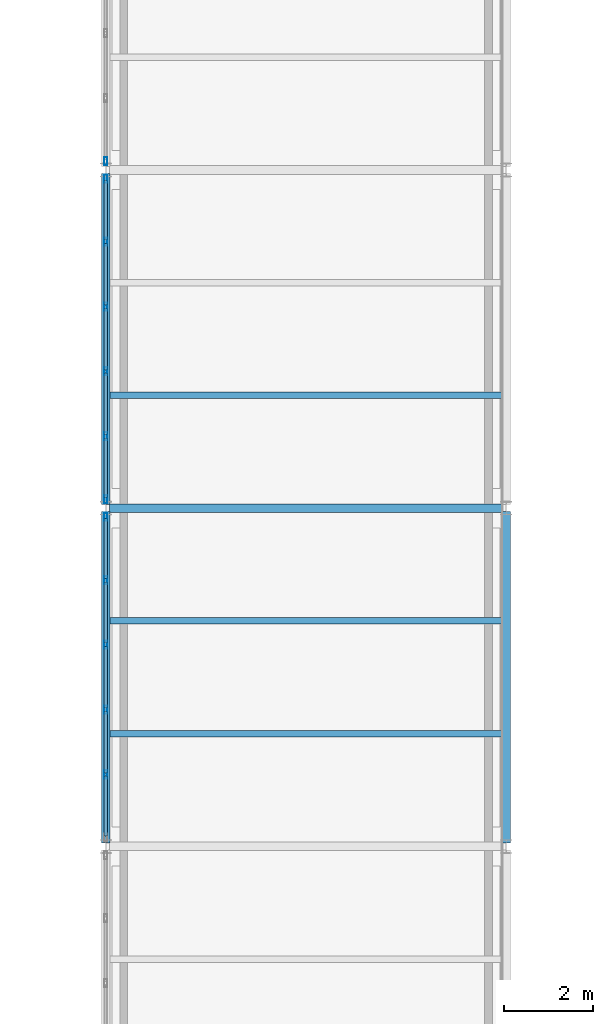
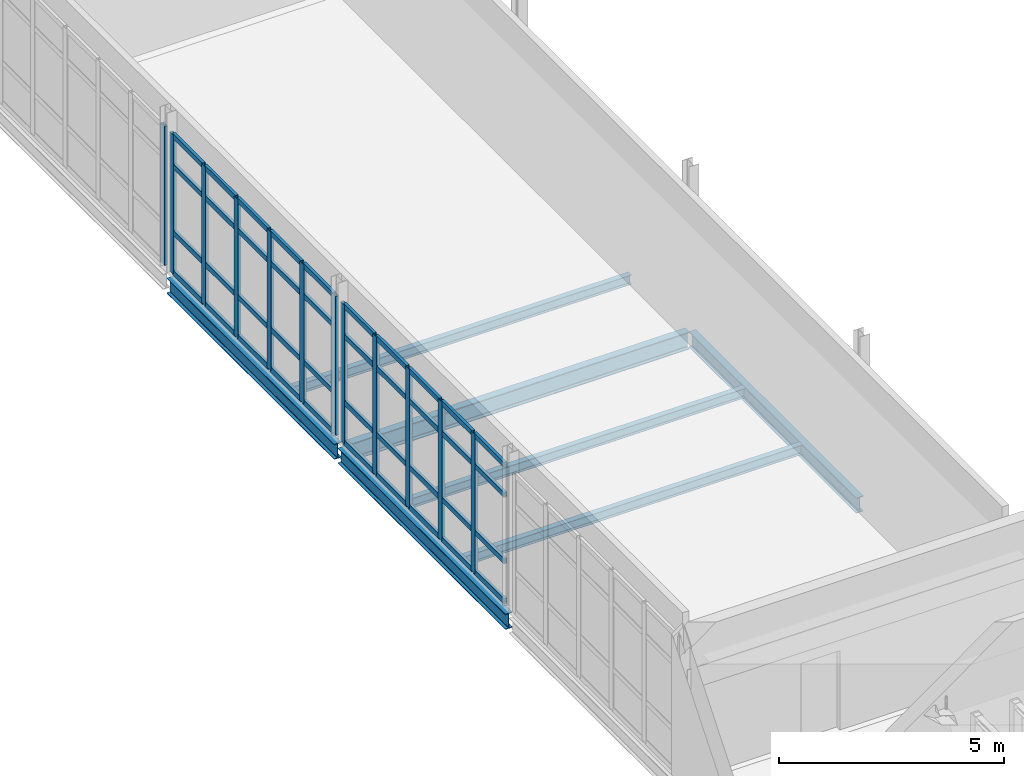
# One storey, part 112 of 174: 52 members, 7 beams, 3 elements without a shape of their own.
"""IFC4 building model written with IfcOpenShell, lengths in metres."""

from ifc_helpers import new_model, si_unit, direction, frame, origin, origin_2d, place, context, subcontext, project, spatial, hollow_rectangle, i_section, extrude, material, material_profile, profile_set, type_object, element, aggregate, save


model = new_model("IFC4")

# Units and contexts
model_context = context("Model", 3, precision=1e-05, world=origin(), true_north=direction((0.0, 1.0)))
body_context = subcontext(model_context, "Body", "Model", "MODEL_VIEW")
ifc_project = project(units=[si_unit("LENGTHUNIT", "METRE"), si_unit("AREAUNIT", "SQUARE_METRE"), si_unit("VOLUMEUNIT", "CUBIC_METRE"), si_unit("PLANEANGLEUNIT", "RADIAN"), si_unit("MASSUNIT", "GRAM", prefix="KILO")], contexts=[model_context])

# Site, building, storey
site_placement = place(None, origin())
site = spatial("IfcSite", under=ifc_project, at=site_placement, CompositionType="ELEMENT")
building_placement = place(site_placement, origin())
building = spatial("IfcBuilding", under=site, at=building_placement, Name="Caisbarro Railhouse Central Library", CompositionType="ELEMENT")
storey_placement = place(building_placement, frame((0.0, 0.0, 5.0400390625)))
storey = spatial("IfcBuildingStorey", under=building, at=storey_placement, Name="L01", CompositionType="ELEMENT", Elevation=5.0400390625)

# Beams
ifc_material_1 = material(Name="Steel ASTM A572 Grade 50", Category="steel")
ifc_material_profile_1 = material_profile(ifc_material_1, i_section(OverallWidth=0.194091796875, OverallDepth=0.468994140625, WebThickness=0.0126953125, FlangeThickness=0.0205078125, FilletRadius=0.01806640625, at=origin_2d()), Name="W460X106.0")
ifc_profile_set_1 = profile_set([ifc_material_profile_1], Name="Steel ASTM A572 Grade 50")
beam_type_1 = type_object("IfcBeamType", Name="BM-G07", PredefinedType="BEAM", material=ifc_profile_set_1)
beam_1_placement = place(storey_placement, frame((144.080078125, 22.800048828125, -0.4345703125), z_axis=(1.0, 0.0, 0.0), x_axis=(0.0, 1.0, 0.0)))
element("IfcBeam", 1, at=beam_1_placement, inside=storey, type_object=beam_type_1, Name="G07 beam L01 #1060", PredefinedType="BEAM", context=body_context, shape_type="SweptSolid", body=[
    extrude(i_section(OverallWidth=0.194091796875, OverallDepth=0.468994140625, WebThickness=0.0126953125, FlangeThickness=0.0205078125, FilletRadius=0.01806640625, at=origin_2d()), origin(), (0.0, 0.0, 1.0), 8.83984375),
])
ifc_material_profile_2 = material_profile(ifc_material_1, i_section(OverallWidth=0.180908203125, OverallDepth=0.4169921875, WebThickness=0.010986328125, FlangeThickness=0.018310546875, FilletRadius=0.01611328125, at=origin_2d()), Name="W410X85.0")
ifc_profile_set_2 = profile_set([ifc_material_profile_2], Name="Steel ASTM A572 Grade 50")
beam_type_2 = type_object("IfcBeamType", Name="BM-G09", PredefinedType="BEAM", material=ifc_profile_set_2)
beam_2_placement = place(storey_placement, frame((144.0, 15.280029296875, -0.408447265625), z_axis=(0.0, 1.0, 0.0), x_axis=(-1.0, 0.0, 0.0)))
element("IfcBeam", 2, at=beam_2_placement, inside=storey, type_object=beam_type_2, Name="G09 beam L01 #1065", PredefinedType="BEAM", context=body_context, shape_type="SweptSolid", body=[
    extrude(i_section(OverallWidth=0.180908203125, OverallDepth=0.4169921875, WebThickness=0.010986328125, FlangeThickness=0.018310546875, FilletRadius=0.01611328125, at=origin_2d()), origin(), (0.0, 0.0, 1.0), 7.43994140625),
])
beam_3_placement = place(storey_placement, frame((144.0, 22.8798828125, -0.408447265625), z_axis=(0.0, 1.0, 0.0), x_axis=(-1.0, 0.0, 0.0)))
element("IfcBeam", 3, at=beam_3_placement, inside=storey, type_object=beam_type_2, Name="G09 beam L01 #1066", PredefinedType="BEAM", context=body_context, shape_type="SweptSolid", body=[
    extrude(i_section(OverallWidth=0.180908203125, OverallDepth=0.4169921875, WebThickness=0.010986328125, FlangeThickness=0.018310546875, FilletRadius=0.01611328125, at=origin_2d()), origin(), (0.0, 0.0, 1.0), 7.440185546875),
])
beam_4_placement = place(storey_placement, frame((153.0, 15.280029296875, -0.408447265625), z_axis=(0.0, 1.0, 0.0), x_axis=(-1.0, 0.0, 0.0)))
element("IfcBeam", 4, at=beam_4_placement, inside=storey, type_object=beam_type_2, Name="G09 beam L01 #1070", PredefinedType="BEAM", context=body_context, shape_type="SweptSolid", body=[
    extrude(i_section(OverallWidth=0.180908203125, OverallDepth=0.4169921875, WebThickness=0.010986328125, FlangeThickness=0.018310546875, FilletRadius=0.01611328125, at=origin_2d()), origin(), (0.0, 0.0, 1.0), 7.43994140625),
])
ifc_material_profile_3 = material_profile(ifc_material_1, i_section(OverallWidth=0.14599609375, OverallDepth=0.258056640625, WebThickness=0.006103515625, FlangeThickness=0.009033203125, FilletRadius=0.010009765625, at=origin_2d()), Name="W250X32.7")
ifc_profile_set_3 = profile_set([ifc_material_profile_3], Name="Steel ASTM A572 Grade 50")
beam_type_3 = type_object("IfcBeamType", Name="BM-J05", PredefinedType="JOIST", material=ifc_profile_set_3)
for number, where, z_axis, x_axis, name in (
    (5, (144.090576171875, 17.7333984375, -0.3291015625), (1.0, 0.0, 0.0), (0.0, 1.0, 0.0), "J05 beam L01 #1075"),
    (6, (144.090576171875, 20.2666015625, -0.3291015625), (1.0, 0.0, 0.0), (0.0, 1.0, 0.0), "J05 beam L01 #1076"),
    (7, (144.090576171875, 25.333251953125, -0.3291015625), (1.0, 0.0, 0.0), (0.0, 1.0, 0.0), "J05 beam L01 #1077"),
):
    element("IfcBeam", number, at=place(storey_placement, frame(where, z_axis=z_axis, x_axis=x_axis)), inside=storey, type_object=beam_type_3, Name=name, PredefinedType="JOIST", context=body_context, shape_type="SweptSolid", body=[
        extrude(i_section(OverallWidth=0.14599609375, OverallDepth=0.258056640625, WebThickness=0.006103515625, FlangeThickness=0.009033203125, FilletRadius=0.010009765625, at=origin_2d()), origin(), (0.0, 0.0, 1.0), 8.81884765625),
    ])

# Curtain wall, members
ifc_material_2 = material(Name="Anodised architectural aluminium", Category="aluminium")
curtain_wall_type = type_object("IfcCurtainWallType", Name="CW-CW02", PredefinedType="NOTDEFINED", material=ifc_material_2)
curtain_wall_1_placement = place(storey_placement, origin())
curtain_wall_1 = element("IfcCurtainWall", 8, at=curtain_wall_1_placement, inside=storey, type_object=curtain_wall_type, Name="CW02 curtain wall L01 #89", PredefinedType="NOTDEFINED")
ifc_material_profile_4 = material_profile(ifc_material_2, hollow_rectangle(XDim=0.074951171875, YDim=0.179931640625, WallThickness=0.00439453125, at=origin_2d()), Name="ALU-MUL-75X180")
ifc_profile_set_4 = profile_set([ifc_material_profile_4], Name="Anodised architectural aluminium")
member_type_1 = type_object("IfcMemberType", Name="CWM-M01", PredefinedType="MULLION", material=ifc_profile_set_4)
member_1_placement = place(storey_placement, frame((144.0, 16.81591796875, 0.0), z_axis=(0.0, 0.0, 1.0), x_axis=(-1.0, 0.0, 0.0)))
member_1 = element("IfcMember", 9, at=member_1_placement, type_object=member_type_1, Name="CW02 mullion 2", PredefinedType="MULLION", context=body_context, shape_type="SweptSolid", body=[
    extrude(hollow_rectangle(XDim=0.074951171875, YDim=0.179931640625, WallThickness=0.00439453125, at=origin_2d()), origin(), (0.0, 0.0, 1.0), 3.77001953125),
])
member_2_placement = place(storey_placement, frame((144.0, 18.27197265625, 0.0), z_axis=(0.0, 0.0, 1.0), x_axis=(-1.0, 0.0, 0.0)))
member_2 = element("IfcMember", 10, at=member_2_placement, type_object=member_type_1, Name="CW02 mullion 3", PredefinedType="MULLION", context=body_context, shape_type="SweptSolid", body=[
    extrude(hollow_rectangle(XDim=0.074951171875, YDim=0.179931640625, WallThickness=0.00439453125, at=origin_2d()), origin(), (0.0, 0.0, 1.0), 3.77001953125),
])
member_3_placement = place(storey_placement, frame((144.0, 19.72802734375, 0.0), z_axis=(0.0, 0.0, 1.0), x_axis=(-1.0, 0.0, 0.0)))
member_3 = element("IfcMember", 11, at=member_3_placement, type_object=member_type_1, Name="CW02 mullion 4", PredefinedType="MULLION", context=body_context, shape_type="SweptSolid", body=[
    extrude(hollow_rectangle(XDim=0.074951171875, YDim=0.179931640625, WallThickness=0.00439453125, at=origin_2d()), origin(), (0.0, 0.0, 1.0), 3.77001953125),
])
member_4_placement = place(storey_placement, frame((144.0, 21.18408203125, 0.0), z_axis=(0.0, 0.0, 1.0), x_axis=(-1.0, 0.0, 0.0)))
member_4 = element("IfcMember", 12, at=member_4_placement, type_object=member_type_1, Name="CW02 mullion 5", PredefinedType="MULLION", context=body_context, shape_type="SweptSolid", body=[
    extrude(hollow_rectangle(XDim=0.074951171875, YDim=0.179931640625, WallThickness=0.00439453125, at=origin_2d()), origin(), (0.0, 0.0, 1.0), 3.77001953125),
])
member_5_placement = place(storey_placement, frame((144.0, 22.6025390625, 0.0), z_axis=(0.0, 0.0, 1.0), x_axis=(-1.0, 0.0, 0.0)))
member_5 = element("IfcMember", 13, at=member_5_placement, type_object=member_type_1, Name="CW02 mullion 6", PredefinedType="MULLION", context=body_context, shape_type="SweptSolid", body=[
    extrude(hollow_rectangle(XDim=0.074951171875, YDim=0.179931640625, WallThickness=0.00439453125, at=origin_2d()), origin(), (0.0, 0.0, 1.0), 3.77001953125),
])

curtain_wall_2_placement = place(storey_placement, origin())
curtain_wall_2 = element("IfcCurtainWall", 14, at=curtain_wall_2_placement, inside=storey, type_object=curtain_wall_type, Name="CW02 curtain wall L01 #90", PredefinedType="NOTDEFINED")
member_6_placement = place(storey_placement, frame((144.0, 22.99755859375, 0.0), z_axis=(0.0, 0.0, 1.0), x_axis=(-1.0, 0.0, 0.0)))
member_6 = element("IfcMember", 15, at=member_6_placement, type_object=member_type_1, Name="CW02 mullion 1", PredefinedType="MULLION", context=body_context, shape_type="SweptSolid", body=[
    extrude(hollow_rectangle(XDim=0.074951171875, YDim=0.179931640625, WallThickness=0.00439453125, at=origin_2d()), origin(), (0.0, 0.0, 1.0), 3.77001953125),
])
member_7_placement = place(storey_placement, frame((144.0, 24.416015625, 0.0), z_axis=(0.0, 0.0, 1.0), x_axis=(-1.0, 0.0, 0.0)))
member_7 = element("IfcMember", 16, at=member_7_placement, type_object=member_type_1, Name="CW02 mullion 2", PredefinedType="MULLION", context=body_context, shape_type="SweptSolid", body=[
    extrude(hollow_rectangle(XDim=0.074951171875, YDim=0.179931640625, WallThickness=0.00439453125, at=origin_2d()), origin(), (0.0, 0.0, 1.0), 3.77001953125),
])
member_8_placement = place(storey_placement, frame((144.0, 25.8720703125, 0.0), z_axis=(0.0, 0.0, 1.0), x_axis=(-1.0, 0.0, 0.0)))
member_8 = element("IfcMember", 17, at=member_8_placement, type_object=member_type_1, Name="CW02 mullion 3", PredefinedType="MULLION", context=body_context, shape_type="SweptSolid", body=[
    extrude(hollow_rectangle(XDim=0.074951171875, YDim=0.179931640625, WallThickness=0.00439453125, at=origin_2d()), origin(), (0.0, 0.0, 1.0), 3.77001953125),
])
member_9_placement = place(storey_placement, frame((144.0, 27.327880859375, 0.0), z_axis=(0.0, 0.0, 1.0), x_axis=(-1.0, 0.0, 0.0)))
member_9 = element("IfcMember", 18, at=member_9_placement, type_object=member_type_1, Name="CW02 mullion 4", PredefinedType="MULLION", context=body_context, shape_type="SweptSolid", body=[
    extrude(hollow_rectangle(XDim=0.074951171875, YDim=0.179931640625, WallThickness=0.00439453125, at=origin_2d()), origin(), (0.0, 0.0, 1.0), 3.77001953125),
])
member_10_placement = place(storey_placement, frame((144.0, 28.783935546875, 0.0), z_axis=(0.0, 0.0, 1.0), x_axis=(-1.0, 0.0, 0.0)))
member_10 = element("IfcMember", 19, at=member_10_placement, type_object=member_type_1, Name="CW02 mullion 5", PredefinedType="MULLION", context=body_context, shape_type="SweptSolid", body=[
    extrude(hollow_rectangle(XDim=0.074951171875, YDim=0.179931640625, WallThickness=0.00439453125, at=origin_2d()), origin(), (0.0, 0.0, 1.0), 3.77001953125),
])
member_11_placement = place(storey_placement, frame((144.0, 30.202392578125, 0.0), z_axis=(0.0, 0.0, 1.0), x_axis=(-1.0, 0.0, 0.0)))
member_11 = element("IfcMember", 20, at=member_11_placement, type_object=member_type_1, Name="CW02 mullion 6", PredefinedType="MULLION", context=body_context, shape_type="SweptSolid", body=[
    extrude(hollow_rectangle(XDim=0.074951171875, YDim=0.179931640625, WallThickness=0.00439453125, at=origin_2d()), origin(), (0.0, 0.0, 1.0), 3.77001953125),
])

# Curtain wall, member
curtain_wall_3_placement = place(storey_placement, origin())
curtain_wall_3 = element("IfcCurtainWall", 21, at=curtain_wall_3_placement, inside=storey, type_object=curtain_wall_type, Name="CW02 curtain wall L01 #91", PredefinedType="NOTDEFINED")
member_12_placement = place(storey_placement, frame((144.0, 30.597412109375, 0.0), z_axis=(0.0, 0.0, 1.0), x_axis=(-1.0, 0.0, 0.0)))
member_12 = element("IfcMember", 22, at=member_12_placement, type_object=member_type_1, Name="CW02 mullion 1", PredefinedType="MULLION", context=body_context, shape_type="SweptSolid", body=[
    extrude(hollow_rectangle(XDim=0.074951171875, YDim=0.179931640625, WallThickness=0.00439453125, at=origin_2d()), origin(), (0.0, 0.0, 1.0), 3.77001953125),
])
aggregate(curtain_wall_3, [member_12])

# Member
ifc_material_profile_5 = material_profile(ifc_material_2, hollow_rectangle(XDim=0.074951171875, YDim=0.139892578125, WallThickness=0.00390625, at=origin_2d()), Name="ALU-TRN-75X140")
ifc_profile_set_5 = profile_set([ifc_material_profile_5], Name="Anodised architectural aluminium")
member_type_2 = type_object("IfcMemberType", Name="CWT-T01", PredefinedType="USERDEFINED", material=ifc_profile_set_5)
member_13_placement = place(storey_placement, frame((144.0, 15.43505859375, 0.037353515625), z_axis=(0.0, 1.0, 0.0), x_axis=(-1.0, 0.0, 0.0)))
member_13 = element("IfcMember", 23, at=member_13_placement, type_object=member_type_2, Name="CW02 transom 1.1", ObjectType="TRANSOM", PredefinedType="USERDEFINED", context=body_context, shape_type="SweptSolid", body=[
    extrude(hollow_rectangle(XDim=0.074951171875, YDim=0.139892578125, WallThickness=0.00390625, at=origin_2d()), origin(), (0.0, 0.0, 1.0), 1.343505859375),
])

member_14_placement = place(storey_placement, frame((144.0, 15.43505859375, 1.119873046875), z_axis=(0.0, 1.0, 0.0), x_axis=(-1.0, 0.0, 0.0)))
member_14 = element("IfcMember", 24, at=member_14_placement, type_object=member_type_2, Name="CW02 transom 1.2", ObjectType="TRANSOM", PredefinedType="USERDEFINED", context=body_context, shape_type="SweptSolid", body=[
    extrude(hollow_rectangle(XDim=0.074951171875, YDim=0.139892578125, WallThickness=0.00390625, at=origin_2d()), origin(), (0.0, 0.0, 1.0), 1.343505859375),
])

member_15_placement = place(storey_placement, frame((144.0, 15.43505859375, 2.919921875), z_axis=(0.0, 1.0, 0.0), x_axis=(-1.0, 0.0, 0.0)))
member_15 = element("IfcMember", 25, at=member_15_placement, type_object=member_type_2, Name="CW02 transom 1.3", ObjectType="TRANSOM", PredefinedType="USERDEFINED", context=body_context, shape_type="SweptSolid", body=[
    extrude(hollow_rectangle(XDim=0.074951171875, YDim=0.139892578125, WallThickness=0.00390625, at=origin_2d()), origin(), (0.0, 0.0, 1.0), 1.343505859375),
])

member_16_placement = place(storey_placement, frame((144.0, 15.43505859375, 3.732421875), z_axis=(0.0, 1.0, 0.0), x_axis=(-1.0, 0.0, 0.0)))
member_16 = element("IfcMember", 26, at=member_16_placement, type_object=member_type_2, Name="CW02 transom 1.4", ObjectType="TRANSOM", PredefinedType="USERDEFINED", context=body_context, shape_type="SweptSolid", body=[
    extrude(hollow_rectangle(XDim=0.074951171875, YDim=0.139892578125, WallThickness=0.00390625, at=origin_2d()), origin(), (0.0, 0.0, 1.0), 1.343505859375),
])

member_17_placement = place(storey_placement, frame((144.0, 16.853515625, 0.037353515625), z_axis=(0.0, 1.0, 0.0), x_axis=(-1.0, 0.0, 0.0)))
member_17 = element("IfcMember", 27, at=member_17_placement, type_object=member_type_2, Name="CW02 transom 2.1", ObjectType="TRANSOM", PredefinedType="USERDEFINED", context=body_context, shape_type="SweptSolid", body=[
    extrude(hollow_rectangle(XDim=0.074951171875, YDim=0.139892578125, WallThickness=0.00390625, at=origin_2d()), origin(), (0.0, 0.0, 1.0), 1.381103515625),
])

member_18_placement = place(storey_placement, frame((144.0, 16.853515625, 1.119873046875), z_axis=(0.0, 1.0, 0.0), x_axis=(-1.0, 0.0, 0.0)))
member_18 = element("IfcMember", 28, at=member_18_placement, type_object=member_type_2, Name="CW02 transom 2.2", ObjectType="TRANSOM", PredefinedType="USERDEFINED", context=body_context, shape_type="SweptSolid", body=[
    extrude(hollow_rectangle(XDim=0.074951171875, YDim=0.139892578125, WallThickness=0.00390625, at=origin_2d()), origin(), (0.0, 0.0, 1.0), 1.381103515625),
])

member_19_placement = place(storey_placement, frame((144.0, 16.853515625, 2.919921875), z_axis=(0.0, 1.0, 0.0), x_axis=(-1.0, 0.0, 0.0)))
member_19 = element("IfcMember", 29, at=member_19_placement, type_object=member_type_2, Name="CW02 transom 2.3", ObjectType="TRANSOM", PredefinedType="USERDEFINED", context=body_context, shape_type="SweptSolid", body=[
    extrude(hollow_rectangle(XDim=0.074951171875, YDim=0.139892578125, WallThickness=0.00390625, at=origin_2d()), origin(), (0.0, 0.0, 1.0), 1.381103515625),
])

member_20_placement = place(storey_placement, frame((144.0, 16.853515625, 3.732421875), z_axis=(0.0, 1.0, 0.0), x_axis=(-1.0, 0.0, 0.0)))
member_20 = element("IfcMember", 30, at=member_20_placement, type_object=member_type_2, Name="CW02 transom 2.4", ObjectType="TRANSOM", PredefinedType="USERDEFINED", context=body_context, shape_type="SweptSolid", body=[
    extrude(hollow_rectangle(XDim=0.074951171875, YDim=0.139892578125, WallThickness=0.00390625, at=origin_2d()), origin(), (0.0, 0.0, 1.0), 1.381103515625),
])

member_21_placement = place(storey_placement, frame((144.0, 18.3095703125, 0.037353515625), z_axis=(0.0, 1.0, 0.0), x_axis=(-1.0, 0.0, 0.0)))
member_21 = element("IfcMember", 31, at=member_21_placement, type_object=member_type_2, Name="CW02 transom 3.1", ObjectType="TRANSOM", PredefinedType="USERDEFINED", context=body_context, shape_type="SweptSolid", body=[
    extrude(hollow_rectangle(XDim=0.074951171875, YDim=0.139892578125, WallThickness=0.00390625, at=origin_2d()), origin(), (0.0, 0.0, 1.0), 1.380859375),
])

member_22_placement = place(storey_placement, frame((144.0, 18.3095703125, 1.119873046875), z_axis=(0.0, 1.0, 0.0), x_axis=(-1.0, 0.0, 0.0)))
member_22 = element("IfcMember", 32, at=member_22_placement, type_object=member_type_2, Name="CW02 transom 3.2", ObjectType="TRANSOM", PredefinedType="USERDEFINED", context=body_context, shape_type="SweptSolid", body=[
    extrude(hollow_rectangle(XDim=0.074951171875, YDim=0.139892578125, WallThickness=0.00390625, at=origin_2d()), origin(), (0.0, 0.0, 1.0), 1.380859375),
])

member_23_placement = place(storey_placement, frame((144.0, 18.3095703125, 2.919921875), z_axis=(0.0, 1.0, 0.0), x_axis=(-1.0, 0.0, 0.0)))
member_23 = element("IfcMember", 33, at=member_23_placement, type_object=member_type_2, Name="CW02 transom 3.3", ObjectType="TRANSOM", PredefinedType="USERDEFINED", context=body_context, shape_type="SweptSolid", body=[
    extrude(hollow_rectangle(XDim=0.074951171875, YDim=0.139892578125, WallThickness=0.00390625, at=origin_2d()), origin(), (0.0, 0.0, 1.0), 1.380859375),
])

member_24_placement = place(storey_placement, frame((144.0, 18.3095703125, 3.732421875), z_axis=(0.0, 1.0, 0.0), x_axis=(-1.0, 0.0, 0.0)))
member_24 = element("IfcMember", 34, at=member_24_placement, type_object=member_type_2, Name="CW02 transom 3.4", ObjectType="TRANSOM", PredefinedType="USERDEFINED", context=body_context, shape_type="SweptSolid", body=[
    extrude(hollow_rectangle(XDim=0.074951171875, YDim=0.139892578125, WallThickness=0.00390625, at=origin_2d()), origin(), (0.0, 0.0, 1.0), 1.380859375),
])

member_25_placement = place(storey_placement, frame((144.0, 19.765380859375, 0.037353515625), z_axis=(0.0, 1.0, 0.0), x_axis=(-1.0, 0.0, 0.0)))
member_25 = element("IfcMember", 35, at=member_25_placement, type_object=member_type_2, Name="CW02 transom 4.1", ObjectType="TRANSOM", PredefinedType="USERDEFINED", context=body_context, shape_type="SweptSolid", body=[
    extrude(hollow_rectangle(XDim=0.074951171875, YDim=0.139892578125, WallThickness=0.00390625, at=origin_2d()), origin(), (0.0, 0.0, 1.0), 1.381103515625),
])

member_26_placement = place(storey_placement, frame((144.0, 19.765380859375, 1.119873046875), z_axis=(0.0, 1.0, 0.0), x_axis=(-1.0, 0.0, 0.0)))
member_26 = element("IfcMember", 36, at=member_26_placement, type_object=member_type_2, Name="CW02 transom 4.2", ObjectType="TRANSOM", PredefinedType="USERDEFINED", context=body_context, shape_type="SweptSolid", body=[
    extrude(hollow_rectangle(XDim=0.074951171875, YDim=0.139892578125, WallThickness=0.00390625, at=origin_2d()), origin(), (0.0, 0.0, 1.0), 1.381103515625),
])

member_27_placement = place(storey_placement, frame((144.0, 19.765380859375, 2.919921875), z_axis=(0.0, 1.0, 0.0), x_axis=(-1.0, 0.0, 0.0)))
member_27 = element("IfcMember", 37, at=member_27_placement, type_object=member_type_2, Name="CW02 transom 4.3", ObjectType="TRANSOM", PredefinedType="USERDEFINED", context=body_context, shape_type="SweptSolid", body=[
    extrude(hollow_rectangle(XDim=0.074951171875, YDim=0.139892578125, WallThickness=0.00390625, at=origin_2d()), origin(), (0.0, 0.0, 1.0), 1.381103515625),
])

member_28_placement = place(storey_placement, frame((144.0, 19.765380859375, 3.732421875), z_axis=(0.0, 1.0, 0.0), x_axis=(-1.0, 0.0, 0.0)))
member_28 = element("IfcMember", 38, at=member_28_placement, type_object=member_type_2, Name="CW02 transom 4.4", ObjectType="TRANSOM", PredefinedType="USERDEFINED", context=body_context, shape_type="SweptSolid", body=[
    extrude(hollow_rectangle(XDim=0.074951171875, YDim=0.139892578125, WallThickness=0.00390625, at=origin_2d()), origin(), (0.0, 0.0, 1.0), 1.381103515625),
])

member_29_placement = place(storey_placement, frame((144.0, 21.221435546875, 0.037353515625), z_axis=(0.0, 1.0, 0.0), x_axis=(-1.0, 0.0, 0.0)))
member_29 = element("IfcMember", 39, at=member_29_placement, type_object=member_type_2, Name="CW02 transom 5.1", ObjectType="TRANSOM", PredefinedType="USERDEFINED", context=body_context, shape_type="SweptSolid", body=[
    extrude(hollow_rectangle(XDim=0.074951171875, YDim=0.139892578125, WallThickness=0.00390625, at=origin_2d()), origin(), (0.0, 0.0, 1.0), 1.343505859375),
])

member_30_placement = place(storey_placement, frame((144.0, 21.221435546875, 1.119873046875), z_axis=(0.0, 1.0, 0.0), x_axis=(-1.0, 0.0, 0.0)))
member_30 = element("IfcMember", 40, at=member_30_placement, type_object=member_type_2, Name="CW02 transom 5.2", ObjectType="TRANSOM", PredefinedType="USERDEFINED", context=body_context, shape_type="SweptSolid", body=[
    extrude(hollow_rectangle(XDim=0.074951171875, YDim=0.139892578125, WallThickness=0.00390625, at=origin_2d()), origin(), (0.0, 0.0, 1.0), 1.343505859375),
])

member_31_placement = place(storey_placement, frame((144.0, 21.221435546875, 2.919921875), z_axis=(0.0, 1.0, 0.0), x_axis=(-1.0, 0.0, 0.0)))
member_31 = element("IfcMember", 41, at=member_31_placement, type_object=member_type_2, Name="CW02 transom 5.3", ObjectType="TRANSOM", PredefinedType="USERDEFINED", context=body_context, shape_type="SweptSolid", body=[
    extrude(hollow_rectangle(XDim=0.074951171875, YDim=0.139892578125, WallThickness=0.00390625, at=origin_2d()), origin(), (0.0, 0.0, 1.0), 1.343505859375),
])

member_32_placement = place(storey_placement, frame((144.0, 21.221435546875, 3.732421875), z_axis=(0.0, 1.0, 0.0), x_axis=(-1.0, 0.0, 0.0)))
member_32 = element("IfcMember", 42, at=member_32_placement, type_object=member_type_2, Name="CW02 transom 5.4", ObjectType="TRANSOM", PredefinedType="USERDEFINED", context=body_context, shape_type="SweptSolid", body=[
    extrude(hollow_rectangle(XDim=0.074951171875, YDim=0.139892578125, WallThickness=0.00390625, at=origin_2d()), origin(), (0.0, 0.0, 1.0), 1.343505859375),
])

aggregate(curtain_wall_1, [member_1, member_2, member_3, member_4, member_5, member_13, member_14, member_15, member_16, member_17, member_18, member_19, member_20, member_21, member_22, member_23, member_24, member_25, member_26, member_27, member_28, member_29, member_30, member_31, member_32])

member_33_placement = place(storey_placement, frame((144.0, 23.034912109375, 0.037353515625), z_axis=(0.0, 1.0, 0.0), x_axis=(-1.0, 0.0, 0.0)))
member_33 = element("IfcMember", 43, at=member_33_placement, type_object=member_type_2, Name="CW02 transom 1.1", ObjectType="TRANSOM", PredefinedType="USERDEFINED", context=body_context, shape_type="SweptSolid", body=[
    extrude(hollow_rectangle(XDim=0.074951171875, YDim=0.139892578125, WallThickness=0.00390625, at=origin_2d()), origin(), (0.0, 0.0, 1.0), 1.343505859375),
])

member_34_placement = place(storey_placement, frame((144.0, 23.034912109375, 1.119873046875), z_axis=(0.0, 1.0, 0.0), x_axis=(-1.0, 0.0, 0.0)))
member_34 = element("IfcMember", 44, at=member_34_placement, type_object=member_type_2, Name="CW02 transom 1.2", ObjectType="TRANSOM", PredefinedType="USERDEFINED", context=body_context, shape_type="SweptSolid", body=[
    extrude(hollow_rectangle(XDim=0.074951171875, YDim=0.139892578125, WallThickness=0.00390625, at=origin_2d()), origin(), (0.0, 0.0, 1.0), 1.343505859375),
])

member_35_placement = place(storey_placement, frame((144.0, 23.034912109375, 2.919921875), z_axis=(0.0, 1.0, 0.0), x_axis=(-1.0, 0.0, 0.0)))
member_35 = element("IfcMember", 45, at=member_35_placement, type_object=member_type_2, Name="CW02 transom 1.3", ObjectType="TRANSOM", PredefinedType="USERDEFINED", context=body_context, shape_type="SweptSolid", body=[
    extrude(hollow_rectangle(XDim=0.074951171875, YDim=0.139892578125, WallThickness=0.00390625, at=origin_2d()), origin(), (0.0, 0.0, 1.0), 1.343505859375),
])

member_36_placement = place(storey_placement, frame((144.0, 23.034912109375, 3.732421875), z_axis=(0.0, 1.0, 0.0), x_axis=(-1.0, 0.0, 0.0)))
member_36 = element("IfcMember", 46, at=member_36_placement, type_object=member_type_2, Name="CW02 transom 1.4", ObjectType="TRANSOM", PredefinedType="USERDEFINED", context=body_context, shape_type="SweptSolid", body=[
    extrude(hollow_rectangle(XDim=0.074951171875, YDim=0.139892578125, WallThickness=0.00390625, at=origin_2d()), origin(), (0.0, 0.0, 1.0), 1.343505859375),
])

member_37_placement = place(storey_placement, frame((144.0, 24.45361328125, 0.037353515625), z_axis=(0.0, 1.0, 0.0), x_axis=(-1.0, 0.0, 0.0)))
member_37 = element("IfcMember", 47, at=member_37_placement, type_object=member_type_2, Name="CW02 transom 2.1", ObjectType="TRANSOM", PredefinedType="USERDEFINED", context=body_context, shape_type="SweptSolid", body=[
    extrude(hollow_rectangle(XDim=0.074951171875, YDim=0.139892578125, WallThickness=0.00390625, at=origin_2d()), origin(), (0.0, 0.0, 1.0), 1.380859375),
])

member_38_placement = place(storey_placement, frame((144.0, 24.45361328125, 1.119873046875), z_axis=(0.0, 1.0, 0.0), x_axis=(-1.0, 0.0, 0.0)))
member_38 = element("IfcMember", 48, at=member_38_placement, type_object=member_type_2, Name="CW02 transom 2.2", ObjectType="TRANSOM", PredefinedType="USERDEFINED", context=body_context, shape_type="SweptSolid", body=[
    extrude(hollow_rectangle(XDim=0.074951171875, YDim=0.139892578125, WallThickness=0.00390625, at=origin_2d()), origin(), (0.0, 0.0, 1.0), 1.380859375),
])

member_39_placement = place(storey_placement, frame((144.0, 24.45361328125, 2.919921875), z_axis=(0.0, 1.0, 0.0), x_axis=(-1.0, 0.0, 0.0)))
member_39 = element("IfcMember", 49, at=member_39_placement, type_object=member_type_2, Name="CW02 transom 2.3", ObjectType="TRANSOM", PredefinedType="USERDEFINED", context=body_context, shape_type="SweptSolid", body=[
    extrude(hollow_rectangle(XDim=0.074951171875, YDim=0.139892578125, WallThickness=0.00390625, at=origin_2d()), origin(), (0.0, 0.0, 1.0), 1.380859375),
])

member_40_placement = place(storey_placement, frame((144.0, 24.45361328125, 3.732421875), z_axis=(0.0, 1.0, 0.0), x_axis=(-1.0, 0.0, 0.0)))
member_40 = element("IfcMember", 50, at=member_40_placement, type_object=member_type_2, Name="CW02 transom 2.4", ObjectType="TRANSOM", PredefinedType="USERDEFINED", context=body_context, shape_type="SweptSolid", body=[
    extrude(hollow_rectangle(XDim=0.074951171875, YDim=0.139892578125, WallThickness=0.00390625, at=origin_2d()), origin(), (0.0, 0.0, 1.0), 1.380859375),
])

member_41_placement = place(storey_placement, frame((144.0, 25.909423828125, 0.037353515625), z_axis=(0.0, 1.0, 0.0), x_axis=(-1.0, 0.0, 0.0)))
member_41 = element("IfcMember", 51, at=member_41_placement, type_object=member_type_2, Name="CW02 transom 3.1", ObjectType="TRANSOM", PredefinedType="USERDEFINED", context=body_context, shape_type="SweptSolid", body=[
    extrude(hollow_rectangle(XDim=0.074951171875, YDim=0.139892578125, WallThickness=0.00390625, at=origin_2d()), origin(), (0.0, 0.0, 1.0), 1.381103515625),
])

member_42_placement = place(storey_placement, frame((144.0, 25.909423828125, 1.119873046875), z_axis=(0.0, 1.0, 0.0), x_axis=(-1.0, 0.0, 0.0)))
member_42 = element("IfcMember", 52, at=member_42_placement, type_object=member_type_2, Name="CW02 transom 3.2", ObjectType="TRANSOM", PredefinedType="USERDEFINED", context=body_context, shape_type="SweptSolid", body=[
    extrude(hollow_rectangle(XDim=0.074951171875, YDim=0.139892578125, WallThickness=0.00390625, at=origin_2d()), origin(), (0.0, 0.0, 1.0), 1.381103515625),
])

member_43_placement = place(storey_placement, frame((144.0, 25.909423828125, 2.919921875), z_axis=(0.0, 1.0, 0.0), x_axis=(-1.0, 0.0, 0.0)))
member_43 = element("IfcMember", 53, at=member_43_placement, type_object=member_type_2, Name="CW02 transom 3.3", ObjectType="TRANSOM", PredefinedType="USERDEFINED", context=body_context, shape_type="SweptSolid", body=[
    extrude(hollow_rectangle(XDim=0.074951171875, YDim=0.139892578125, WallThickness=0.00390625, at=origin_2d()), origin(), (0.0, 0.0, 1.0), 1.381103515625),
])

member_44_placement = place(storey_placement, frame((144.0, 25.909423828125, 3.732421875), z_axis=(0.0, 1.0, 0.0), x_axis=(-1.0, 0.0, 0.0)))
member_44 = element("IfcMember", 54, at=member_44_placement, type_object=member_type_2, Name="CW02 transom 3.4", ObjectType="TRANSOM", PredefinedType="USERDEFINED", context=body_context, shape_type="SweptSolid", body=[
    extrude(hollow_rectangle(XDim=0.074951171875, YDim=0.139892578125, WallThickness=0.00390625, at=origin_2d()), origin(), (0.0, 0.0, 1.0), 1.381103515625),
])

member_45_placement = place(storey_placement, frame((144.0, 27.365478515625, 0.037353515625), z_axis=(0.0, 1.0, 0.0), x_axis=(-1.0, 0.0, 0.0)))
member_45 = element("IfcMember", 55, at=member_45_placement, type_object=member_type_2, Name="CW02 transom 4.1", ObjectType="TRANSOM", PredefinedType="USERDEFINED", context=body_context, shape_type="SweptSolid", body=[
    extrude(hollow_rectangle(XDim=0.074951171875, YDim=0.139892578125, WallThickness=0.00390625, at=origin_2d()), origin(), (0.0, 0.0, 1.0), 1.381103515625),
])

member_46_placement = place(storey_placement, frame((144.0, 27.365478515625, 1.119873046875), z_axis=(0.0, 1.0, 0.0), x_axis=(-1.0, 0.0, 0.0)))
member_46 = element("IfcMember", 56, at=member_46_placement, type_object=member_type_2, Name="CW02 transom 4.2", ObjectType="TRANSOM", PredefinedType="USERDEFINED", context=body_context, shape_type="SweptSolid", body=[
    extrude(hollow_rectangle(XDim=0.074951171875, YDim=0.139892578125, WallThickness=0.00390625, at=origin_2d()), origin(), (0.0, 0.0, 1.0), 1.381103515625),
])

member_47_placement = place(storey_placement, frame((144.0, 27.365478515625, 2.919921875), z_axis=(0.0, 1.0, 0.0), x_axis=(-1.0, 0.0, 0.0)))
member_47 = element("IfcMember", 57, at=member_47_placement, type_object=member_type_2, Name="CW02 transom 4.3", ObjectType="TRANSOM", PredefinedType="USERDEFINED", context=body_context, shape_type="SweptSolid", body=[
    extrude(hollow_rectangle(XDim=0.074951171875, YDim=0.139892578125, WallThickness=0.00390625, at=origin_2d()), origin(), (0.0, 0.0, 1.0), 1.381103515625),
])

member_48_placement = place(storey_placement, frame((144.0, 27.365478515625, 3.732421875), z_axis=(0.0, 1.0, 0.0), x_axis=(-1.0, 0.0, 0.0)))
member_48 = element("IfcMember", 58, at=member_48_placement, type_object=member_type_2, Name="CW02 transom 4.4", ObjectType="TRANSOM", PredefinedType="USERDEFINED", context=body_context, shape_type="SweptSolid", body=[
    extrude(hollow_rectangle(XDim=0.074951171875, YDim=0.139892578125, WallThickness=0.00390625, at=origin_2d()), origin(), (0.0, 0.0, 1.0), 1.381103515625),
])

member_49_placement = place(storey_placement, frame((144.0, 28.821533203125, 0.037353515625), z_axis=(0.0, 1.0, 0.0), x_axis=(-1.0, 0.0, 0.0)))
member_49 = element("IfcMember", 59, at=member_49_placement, type_object=member_type_2, Name="CW02 transom 5.1", ObjectType="TRANSOM", PredefinedType="USERDEFINED", context=body_context, shape_type="SweptSolid", body=[
    extrude(hollow_rectangle(XDim=0.074951171875, YDim=0.139892578125, WallThickness=0.00390625, at=origin_2d()), origin(), (0.0, 0.0, 1.0), 1.343505859375),
])

member_50_placement = place(storey_placement, frame((144.0, 28.821533203125, 1.119873046875), z_axis=(0.0, 1.0, 0.0), x_axis=(-1.0, 0.0, 0.0)))
member_50 = element("IfcMember", 60, at=member_50_placement, type_object=member_type_2, Name="CW02 transom 5.2", ObjectType="TRANSOM", PredefinedType="USERDEFINED", context=body_context, shape_type="SweptSolid", body=[
    extrude(hollow_rectangle(XDim=0.074951171875, YDim=0.139892578125, WallThickness=0.00390625, at=origin_2d()), origin(), (0.0, 0.0, 1.0), 1.343505859375),
])

member_51_placement = place(storey_placement, frame((144.0, 28.821533203125, 2.919921875), z_axis=(0.0, 1.0, 0.0), x_axis=(-1.0, 0.0, 0.0)))
member_51 = element("IfcMember", 61, at=member_51_placement, type_object=member_type_2, Name="CW02 transom 5.3", ObjectType="TRANSOM", PredefinedType="USERDEFINED", context=body_context, shape_type="SweptSolid", body=[
    extrude(hollow_rectangle(XDim=0.074951171875, YDim=0.139892578125, WallThickness=0.00390625, at=origin_2d()), origin(), (0.0, 0.0, 1.0), 1.343505859375),
])

member_52_placement = place(storey_placement, frame((144.0, 28.821533203125, 3.732421875), z_axis=(0.0, 1.0, 0.0), x_axis=(-1.0, 0.0, 0.0)))
member_52 = element("IfcMember", 62, at=member_52_placement, type_object=member_type_2, Name="CW02 transom 5.4", ObjectType="TRANSOM", PredefinedType="USERDEFINED", context=body_context, shape_type="SweptSolid", body=[
    extrude(hollow_rectangle(XDim=0.074951171875, YDim=0.139892578125, WallThickness=0.00390625, at=origin_2d()), origin(), (0.0, 0.0, 1.0), 1.343505859375),
])

aggregate(curtain_wall_2, [member_6, member_7, member_8, member_9, member_10, member_11, member_33, member_34, member_35, member_36, member_37, member_38, member_39, member_40, member_41, member_42, member_43, member_44, member_45, member_46, member_47, member_48, member_49, member_50, member_51, member_52])

save(model, "model.ifc")
